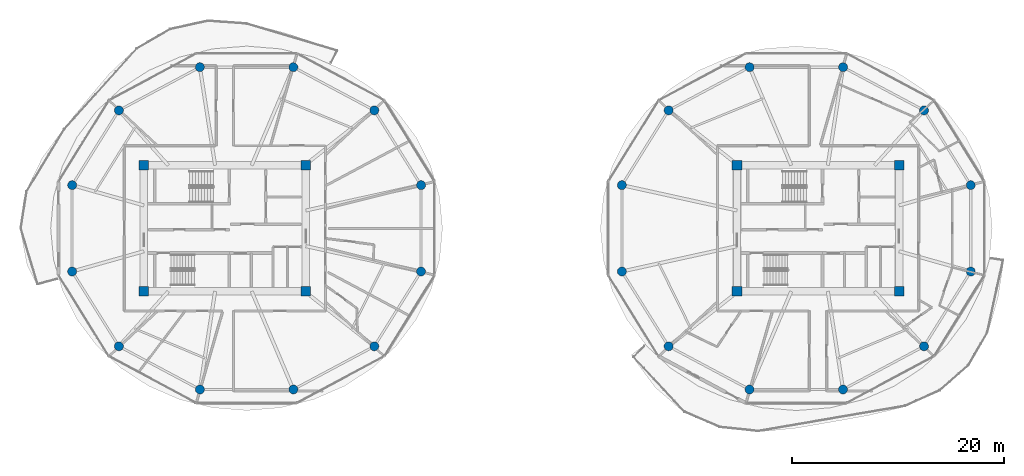
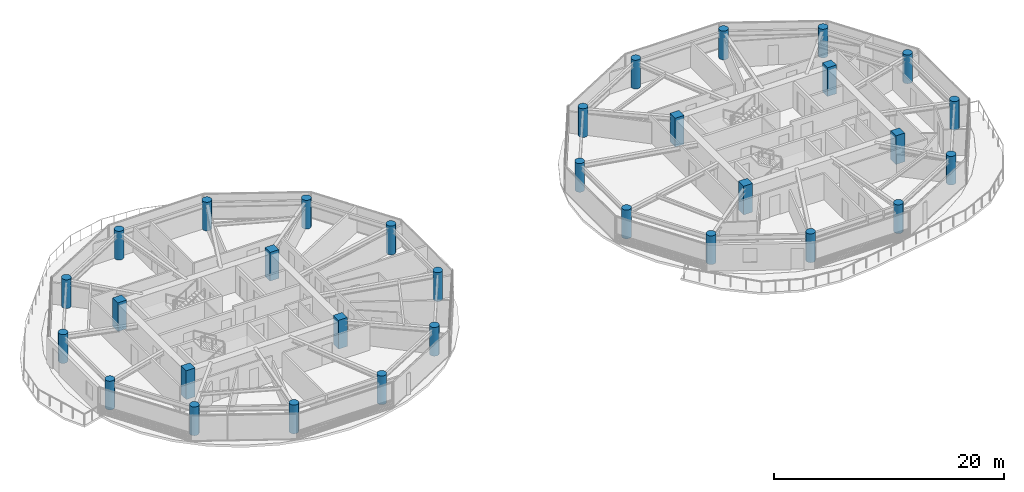
# One storey, part 1 of 22: 32 columns.
"""IFC4 building model written with IfcOpenShell, lengths in metres."""

from ifc_helpers import new_model, si_unit, direction, frame, origin, origin_2d, place, context, subcontext, project, spatial, rectangle, circle, extrude, source, transform, mapped, material, material_profile, profile_set, type_object, type_shapes, element, save


model = new_model("IFC4")

# Units and contexts
model_context = context("Model", 3, precision=1e-05, world=origin(), true_north=direction((0.0, 1.0)))
body_context = subcontext(model_context, "Body", "Model", "MODEL_VIEW")
ifc_project = project(units=[si_unit("LENGTHUNIT", "METRE"), si_unit("AREAUNIT", "SQUARE_METRE"), si_unit("VOLUMEUNIT", "CUBIC_METRE"), si_unit("PLANEANGLEUNIT", "RADIAN"), si_unit("MASSUNIT", "GRAM", prefix="KILO")], contexts=[model_context])

# Site, building, storey
site_placement = place(None, origin())
site = spatial("IfcSite", under=ifc_project, at=site_placement, CompositionType="ELEMENT")
building_placement = place(site_placement, origin())
building = spatial("IfcBuilding", under=site, at=building_placement, Name="Norrkilde Senior Care Towers", CompositionType="ELEMENT")
storey_placement = place(building_placement, frame((0.0, 0.0, 87.10009765625)))
storey = spatial("IfcBuildingStorey", under=building, at=storey_placement, Name="L26", CompositionType="ELEMENT", Elevation=87.10009765625)

# Columns
ifc_material = material(Name="Concrete C60/75", Category="concrete")
ifc_material_profile_1 = material_profile(ifc_material, rectangle(XDim=0.89990234375, YDim=0.89990234375, at=origin_2d()), Name="RC COL 900x900")
ifc_profile_set_1 = profile_set([ifc_material_profile_1], Name="Concrete C60/75")
column_type_1 = type_object("IfcColumnType", Name="Column Core Corner Z1-Z2 900", PredefinedType="COLUMN", material=ifc_profile_set_1)
shared_shape_1 = source(origin(), body_context, "Body", "SweptSolid", [
    extrude(rectangle(XDim=0.89990234375, YDim=0.89990234375, at=origin_2d()), origin(), (0.0, 0.0, 1.0), 3.0498046875),
])
type_shapes(column_type_1, [shared_shape_1])
for number, where, z_axis, x_axis, name in (
    (1, (-35.64990234375, -5.949951171875, 0.0), (0.0, 0.0, 1.0), (1.0, 0.0, 0.0), "L26 Core W Corner Column 1"),
    (2, (-20.35009765625, -5.949951171875, 0.0), (0.0, 0.0, 1.0), (1.0, 0.0, 0.0), "L26 Core W Corner Column 2"),
    (3, (-20.35009765625, 5.949951171875, 0.0), (0.0, 0.0, 1.0), (1.0, 0.0, 0.0), "L26 Core W Corner Column 3"),
    (4, (-35.64990234375, 5.949951171875, 0.0), (0.0, 0.0, 1.0), (1.0, 0.0, 0.0), "L26 Core W Corner Column 4"),
    (5, (20.35009765625, -5.949951171875, 0.0), (0.0, 0.0, 1.0), (1.0, 0.0, 0.0), "L26 Core E Corner Column 1"),
    (6, (35.64990234375, -5.949951171875, 0.0), (0.0, 0.0, 1.0), (1.0, 0.0, 0.0), "L26 Core E Corner Column 2"),
    (7, (35.64990234375, 5.949951171875, 0.0), (0.0, 0.0, 1.0), (1.0, 0.0, 0.0), "L26 Core E Corner Column 3"),
    (8, (20.35009765625, 5.949951171875, 0.0), (0.0, 0.0, 1.0), (1.0, 0.0, 0.0), "L26 Core E Corner Column 4"),
):
    element("IfcColumn", number, at=place(storey_placement, frame(where, z_axis=z_axis, x_axis=x_axis)), inside=storey, type_object=column_type_1, Name=name, PredefinedType="COLUMN", context=body_context, shape_type="MappedRepresentation", body=[
        mapped(shared_shape_1, transform((0.0, 0.0, 0.0), x_axis=(1.0, 0.0, 0.0), y_axis=(0.0, 1.0, 0.0), z_axis=(0.0, 0.0, 1.0), scale=1.0)),
    ])
ifc_material_profile_2 = material_profile(ifc_material, circle(Radius=0.425048828125, at=origin_2d()), Name="RC CIR 850")
ifc_profile_set_2 = profile_set([ifc_material_profile_2], Name="Concrete C60/75")
column_type_2 = type_object("IfcColumnType", Name="Column Perimeter Z2 850", PredefinedType="COLUMN", material=ifc_profile_set_2)
shared_shape_2 = source(origin(), body_context, "Body", "SweptSolid", [
    extrude(circle(Radius=0.425048828125, at=origin_2d()), origin(), (0.0, 0.0, 1.0), 3.0498046875),
])
type_shapes(column_type_2, [shared_shape_2])
for number, where, z_axis, x_axis, name in (
    (9, (-9.48095703125, 4.076416015625, 0.0), (0.0, 0.0, 1.0), (1.0, 0.0, 0.0), "L26 Drum W Perimeter Column 01"),
    (10, (-13.893798828125, 11.136962890625, 0.0), (0.0, 0.0, 1.0), (1.0, 0.0, 0.0), "L26 Drum W Perimeter Column 02"),
    (11, (-21.537109375, 15.21337890625, 0.0), (0.0, 0.0, 1.0), (1.0, 0.0, 0.0), "L26 Drum W Perimeter Column 03"),
    (12, (-30.36279296875, 15.21337890625, 0.0), (0.0, 0.0, 1.0), (1.0, 0.0, 0.0), "L26 Drum W Perimeter Column 04"),
    (13, (-38.006103515625, 11.136962890625, 0.0), (0.0, 0.0, 1.0), (1.0, 0.0, 0.0), "L26 Drum W Perimeter Column 05"),
    (14, (-42.4189453125, 4.076416015625, 0.0), (0.0, 0.0, 1.0), (1.0, 0.0, 0.0), "L26 Drum W Perimeter Column 06"),
    (15, (-42.4189453125, -4.076416015625, 0.0), (0.0, 0.0, 1.0), (1.0, 0.0, 0.0), "L26 Drum W Perimeter Column 07"),
    (16, (-38.006103515625, -11.136962890625, 0.0), (0.0, 0.0, 1.0), (1.0, 0.0, 0.0), "L26 Drum W Perimeter Column 08"),
    (17, (-30.36279296875, -15.21337890625, 0.0), (0.0, 0.0, 1.0), (1.0, 0.0, 0.0), "L26 Drum W Perimeter Column 09"),
    (18, (-21.537109375, -15.21337890625, 0.0), (0.0, 0.0, 1.0), (1.0, 0.0, 0.0), "L26 Drum W Perimeter Column 10"),
    (19, (-13.893798828125, -11.136962890625, 0.0), (0.0, 0.0, 1.0), (1.0, 0.0, 0.0), "L26 Drum W Perimeter Column 11"),
    (20, (-9.48095703125, -4.076416015625, 0.0), (0.0, 0.0, 1.0), (1.0, 0.0, 0.0), "L26 Drum W Perimeter Column 12"),
    (21, (42.4189453125, 4.076416015625, 0.0), (0.0, 0.0, 1.0), (1.0, 0.0, 0.0), "L26 Drum E Perimeter Column 01"),
    (22, (38.006103515625, 11.136962890625, 0.0), (0.0, 0.0, 1.0), (1.0, 0.0, 0.0), "L26 Drum E Perimeter Column 02"),
    (23, (30.36279296875, 15.21337890625, 0.0), (0.0, 0.0, 1.0), (1.0, 0.0, 0.0), "L26 Drum E Perimeter Column 03"),
    (24, (21.537109375, 15.21337890625, 0.0), (0.0, 0.0, 1.0), (1.0, 0.0, 0.0), "L26 Drum E Perimeter Column 04"),
    (25, (13.893798828125, 11.136962890625, 0.0), (0.0, 0.0, 1.0), (1.0, 0.0, 0.0), "L26 Drum E Perimeter Column 05"),
    (26, (9.48095703125, 4.076416015625, 0.0), (0.0, 0.0, 1.0), (1.0, 0.0, 0.0), "L26 Drum E Perimeter Column 06"),
    (27, (9.48095703125, -4.076416015625, 0.0), (0.0, 0.0, 1.0), (1.0, 0.0, 0.0), "L26 Drum E Perimeter Column 07"),
    (28, (13.893798828125, -11.136962890625, 0.0), (0.0, 0.0, 1.0), (1.0, 0.0, 0.0), "L26 Drum E Perimeter Column 08"),
    (29, (21.537109375, -15.21337890625, 0.0), (0.0, 0.0, 1.0), (1.0, 0.0, 0.0), "L26 Drum E Perimeter Column 09"),
    (30, (30.36279296875, -15.21337890625, 0.0), (0.0, 0.0, 1.0), (1.0, 0.0, 0.0), "L26 Drum E Perimeter Column 10"),
    (31, (38.006103515625, -11.136962890625, 0.0), (0.0, 0.0, 1.0), (1.0, 0.0, 0.0), "L26 Drum E Perimeter Column 11"),
    (32, (42.4189453125, -4.076416015625, 0.0), (0.0, 0.0, 1.0), (1.0, 0.0, 0.0), "L26 Drum E Perimeter Column 12"),
):
    element("IfcColumn", number, at=place(storey_placement, frame(where, z_axis=z_axis, x_axis=x_axis)), inside=storey, type_object=column_type_2, Name=name, PredefinedType="COLUMN", context=body_context, shape_type="MappedRepresentation", body=[
        mapped(shared_shape_2, transform((0.0, 0.0, 0.0), x_axis=(1.0, 0.0, 0.0), y_axis=(0.0, 1.0, 0.0), z_axis=(0.0, 0.0, 1.0), scale=1.0)),
    ])

save(model, "model.ifc")
